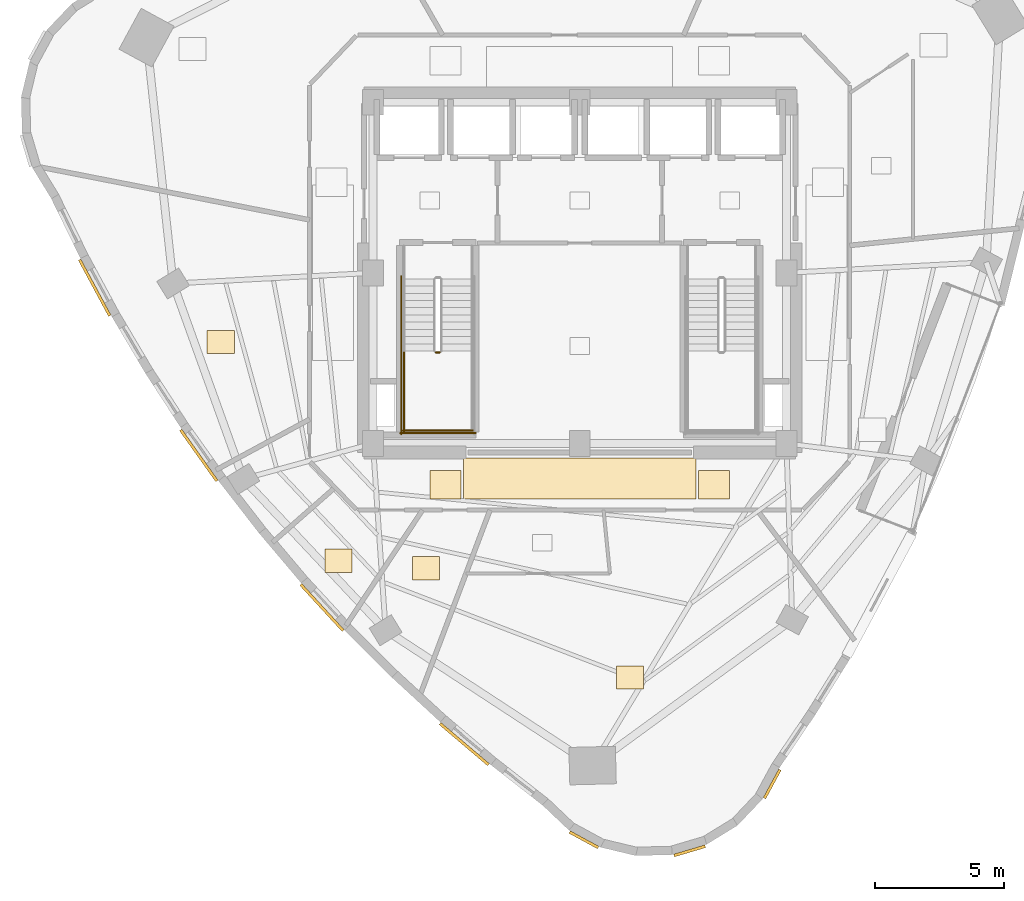
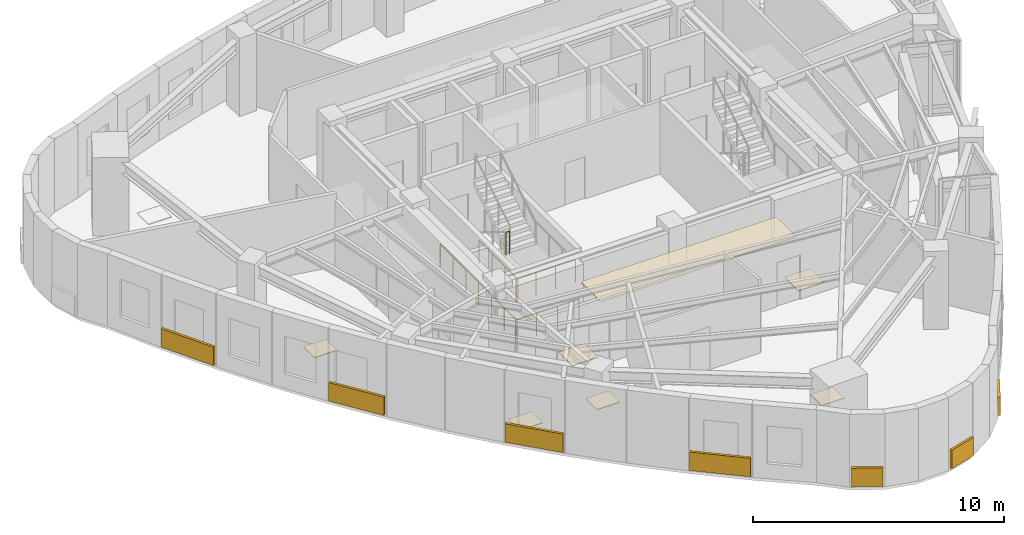
# One storey, part 8 of 10: 14 coverings, 5 railings.
"""IFC4 building model written with IfcOpenShell, lengths in metres."""

from ifc_helpers import new_model, si_unit, direction, frame, origin, origin_2d, place, context, subcontext, project, spatial, rectangle, circle, extrude, material, layer, layer_set, type_object, element, save


model = new_model("IFC4")

# Units and contexts
model_context = context("Model", 3, precision=1e-05, world=origin(), true_north=direction((0.0, 1.0)))
body_context = subcontext(model_context, "Body", "Model", "MODEL_VIEW")
ifc_project = project(units=[si_unit("LENGTHUNIT", "METRE"), si_unit("AREAUNIT", "SQUARE_METRE"), si_unit("VOLUMEUNIT", "CUBIC_METRE"), si_unit("PLANEANGLEUNIT", "RADIAN"), si_unit("MASSUNIT", "GRAM", prefix="KILO")], contexts=[model_context])

# Site, building, storey
site_placement = place(None, origin())
site = spatial("IfcSite", under=ifc_project, at=site_placement, CompositionType="ELEMENT")
building_placement = place(site_placement, origin())
building = spatial("IfcBuilding", under=site, at=building_placement, Name="Ndelora Gate Hotel", CompositionType="ELEMENT")
storey_placement = place(building_placement, frame((0.0, 0.0, 247.35009765625)))
storey = spatial("IfcBuildingStorey", under=building, at=storey_placement, Name="L62", CompositionType="ELEMENT", Elevation=247.35009765625)

# Coverings
ifc_material_1 = material(Name="Perforated Acoustic Gypsum Board", Category="gypsum")
ifc_layer_1 = layer(ifc_material_1, 0.054931640625)
ifc_layer_set_1 = layer_set([ifc_layer_1], Name="Perforated Acoustic Gypsum Board")
covering_type_1 = type_object("IfcCoveringType", Name="COV-CEIL-AC60", PredefinedType="CEILING", material=ifc_layer_set_1)
covering_1_placement = place(storey_placement, frame((0.0, -7.9599609375, 2.65234375), z_axis=(0.0, 0.0, 1.0), x_axis=(1.0, 0.0, 0.0)))
element("IfcCovering", 1, at=covering_1_placement, inside=storey, type_object=covering_type_1, Name="L62 Guest Corridor Acoustic Ceiling S", PredefinedType="CEILING", context=body_context, shape_type="SweptSolid", body=[
    extrude(rectangle(XDim=9.0, YDim=1.580078125, at=origin_2d()), origin(), (0.0, 0.0, 1.0), 0.054931640625),
])
ifc_material_2 = material(Name="Terracotta Fired Clay Brick Slip Cladding", Category="masonry")
ifc_layer_2 = layer(ifc_material_2, 0.110107421875)
ifc_layer_set_2 = layer_set([ifc_layer_2], Name="Terracotta Fired Clay Brick Slip Cladding")
covering_type_2 = type_object("IfcCoveringType", Name="COV-CLAD-BRK", PredefinedType="CLADDING", material=ifc_layer_set_2)
covering_2_placement = place(storey_placement, frame((-18.765380859375, -0.577392578125, 0.099853515625), z_axis=(0.0, 0.0, 1.0), x_axis=(-0.474241874114, 0.880394596097, 0.0)))
element("IfcCovering", 2, at=covering_2_placement, inside=storey, type_object=covering_type_2, Name="L62 Rounded-Corner Brick Cladding Band 10", PredefinedType="CLADDING", context=body_context, shape_type="SweptSolid", body=[
    extrude(rectangle(XDim=2.4599609375, YDim=0.110107421875, at=origin_2d()), origin(), (0.0, 0.0, 1.0), 0.89990234375),
])
covering_3_placement = place(storey_placement, frame((-14.739990234375, -7.063232421875, 0.099853515625), z_axis=(0.0, 0.0, 1.0), x_axis=(-0.579281172343, 0.815127795729, 0.0)))
element("IfcCovering", 3, at=covering_3_placement, inside=storey, type_object=covering_type_2, Name="L62 Rounded-Corner Brick Cladding Band 13", PredefinedType="CLADDING", context=body_context, shape_type="SweptSolid", body=[
    extrude(rectangle(XDim=2.4208984375, YDim=0.110107421875, at=origin_2d()), origin(), (0.0, 0.0, 1.0), 0.89990234375),
])
covering_4_placement = place(storey_placement, frame((-9.9736328125, -12.949462890625, 0.099853515625), z_axis=(0.0, 0.0, 1.0), x_axis=(-0.676875969683, 0.73609708712, 0.0)))
element("IfcCovering", 4, at=covering_4_placement, inside=storey, type_object=covering_type_2, Name="L62 Rounded-Corner Brick Cladding Band 16", PredefinedType="CLADDING", context=body_context, shape_type="SweptSolid", body=[
    extrude(rectangle(XDim=2.419921875, YDim=0.110107421875, at=origin_2d()), origin(), (0.0, 0.0, 1.0), 0.89990234375),
])
covering_5_placement = place(storey_placement, frame((-4.466552734375, -18.235107421875, 0.099853515625), z_axis=(0.0, 0.0, 1.0), x_axis=(-0.762555431968, 0.646922880393, 0.0)))
element("IfcCovering", 5, at=covering_5_placement, inside=storey, type_object=covering_type_2, Name="L62 Rounded-Corner Brick Cladding Band 19", PredefinedType="CLADDING", context=body_context, shape_type="SweptSolid", body=[
    extrude(rectangle(XDim=2.4599609375, YDim=0.110107421875, at=origin_2d()), origin(), (0.0, 0.0, 1.0), 0.89990234375),
])
covering_6_placement = place(storey_placement, frame((0.162109375, -21.9365234375, 0.099853515625), z_axis=(0.0, 0.0, 1.0), x_axis=(-0.878817112662, 0.47715876026, 0.0)))
element("IfcCovering", 6, at=covering_6_placement, inside=storey, type_object=covering_type_2, Name="L62 Rounded-Corner Brick Cladding Band 22", PredefinedType="CLADDING", context=body_context, shape_type="SweptSolid", body=[
    extrude(rectangle(XDim=1.257080078125, YDim=0.110107421875, at=origin_2d()), origin(), (0.0, 0.0, 1.0), 0.89990234375),
])
covering_7_placement = place(storey_placement, frame((4.252685546875, -22.366455078125, 0.099853515625), z_axis=(0.0, 0.0, 1.0), x_axis=(0.958819734868, 0.284015344704, 0.0)))
element("IfcCovering", 7, at=covering_7_placement, inside=storey, type_object=covering_type_2, Name="L62 Rounded-Corner Brick Cladding Band 25", PredefinedType="CLADDING", context=body_context, shape_type="SweptSolid", body=[
    extrude(rectangle(XDim=1.258056640625, YDim=0.110107421875, at=origin_2d()), origin(), (0.0, 0.0, 1.0), 0.89990234375),
])
covering_8_placement = place(storey_placement, frame((7.44921875, -19.778076171875, 0.099853515625), z_axis=(0.0, 0.0, 1.0), x_axis=(0.47715876026, 0.878817112662, 0.0)))
element("IfcCovering", 8, at=covering_8_placement, inside=storey, type_object=covering_type_2, Name="L62 Rounded-Corner Brick Cladding Band 28", PredefinedType="CLADDING", context=body_context, shape_type="SweptSolid", body=[
    extrude(rectangle(XDim=1.257080078125, YDim=0.110107421875, at=origin_2d()), origin(), (0.0, 0.0, 1.0), 0.89990234375),
])
ifc_material_3 = material(Name="Engineered Highland Oak Parquet", Category="wood")
ifc_layer_3 = layer(ifc_material_3, 0.030029296875)
ifc_layer_set_3 = layer_set([ifc_layer_3], Name="Engineered Highland Oak Parquet")
covering_type_3 = type_object("IfcCoveringType", Name="COV-FLR-PARQ", PredefinedType="FLOORING", material=ifc_layer_set_3)
for number, where, z_axis, x_axis, name in (
    (9, (1.947021484375, -15.656494140625, 0.0), (0.0, 0.0, 1.0), (1.0, 0.0, 0.0), "L62 Grand Highland Presidential Suite 6501 Oak Parquet Flooring"),
    (10, (-13.88671875, -2.67431640625, 0.0), (0.0, 0.0, 1.0), (1.0, 0.0, 0.0), "L62 Private Chef Service Kitchen Oak Parquet Flooring"),
    (11, (-9.330810546875, -11.140380859375, 0.0), (0.0, 0.0, 1.0), (1.0, 0.0, 0.0), "L62 Housekeeping and Linen Room Oak Parquet Flooring"),
    (12, (-5.94384765625, -11.4296875, 0.0), (0.0, 0.0, 1.0), (1.0, 0.0, 0.0), "L62 Accessible WC Oak Parquet Flooring"),
):
    element("IfcCovering", number, at=place(storey_placement, frame(where, z_axis=z_axis, x_axis=x_axis)), inside=storey, type_object=covering_type_3, Name=name, PredefinedType="FLOORING", context=body_context, shape_type="SweptSolid", body=[
        extrude(rectangle(XDim=1.050048828125, YDim=0.89990234375, at=origin_2d()), origin(), (0.0, 0.0, 1.0), 0.030029296875),
    ])
ifc_material_4 = material(Name="Polished Highland Stone Terrazzo", Category="masonry")
ifc_layer_4 = layer(ifc_material_4, 0.034912109375)
ifc_layer_set_4 = layer_set([ifc_layer_4], Name="Polished Highland Stone Terrazzo")
covering_type_4 = type_object("IfcCoveringType", Name="COV-FLR-TERZ", PredefinedType="FLOORING", material=ifc_layer_set_4)
for number, where, z_axis, x_axis, name in (
    (13, (-5.199951171875, -8.199951171875, 0.0), (0.0, 0.0, 1.0), (1.0, 0.0, 0.0), "L62 Corridor Threshold Terrazzo Inlay SW"),
    (14, (5.199951171875, -8.199951171875, 0.0), (0.0, 0.0, 1.0), (1.0, 0.0, 0.0), "L62 Corridor Threshold Terrazzo Inlay SE"),
):
    element("IfcCovering", number, at=place(storey_placement, frame(where, z_axis=z_axis, x_axis=x_axis)), inside=storey, type_object=covering_type_4, Name=name, PredefinedType="FLOORING", context=body_context, shape_type="SweptSolid", body=[
        extrude(rectangle(XDim=1.199951171875, YDim=1.10009765625, at=origin_2d()), origin(), (0.0, 0.0, 1.0), 0.034912109375),
    ])

# Railings
ifc_material_5 = material(Name="Painted Galvanized Steel Balustrade", Category="steel")
ifc_layer_5 = layer(ifc_material_5, 0.06005859375)
ifc_layer_set_5 = layer_set([ifc_layer_5], Name="Painted Galvanized Steel Balustrade")
railing_type = type_object("IfcRailingType", Name="RL-STAIR-GD", PredefinedType="GUARDRAIL", material=ifc_layer_set_5)
railing_1_placement = place(storey_placement, frame((-5.570068359375, -3.080078125, 1.89990234375)))
element("IfcRailing", 15, at=railing_1_placement, inside=storey, type_object=railing_type, Name="L62 ST4 stair guard 2", PredefinedType="GUARDRAIL", context=body_context, shape_type="SweptSolid", body=[
    extrude(circle(Radius=0.02392578125, at=origin_2d()), frame((0.0, 0.0, 1.10595703125), z_axis=(1.0, 0.0, 0.0), x_axis=(0.0, 1.0, 0.0)), (0.0, 0.0, 1.0), 0.16015625),
    extrude(circle(Radius=0.02099609375, at=origin_2d()), origin(), (0.0, 0.0, 1.0), 1.081787109375),
    extrude(circle(Radius=0.02099609375, at=origin_2d()), frame((0.16015625, 0.0, 0.0)), (0.0, 0.0, 1.0), 1.081787109375),
])
railing_2_placement = place(storey_placement, frame((-6.800048828125, -3.030029296875, 1.89990234375)))
element("IfcRailing", 16, at=railing_2_placement, inside=storey, type_object=railing_type, Name="L62 ST4 stair guard 3", PredefinedType="GUARDRAIL", context=body_context, shape_type="SweptSolid", body=[
    extrude(circle(Radius=0.02392578125, at=origin_2d()), frame((0.0, 0.0, 1.10595703125), z_axis=(0.0, -1.0, 0.0), x_axis=(1.0, 0.0, 0.0)), (0.0, 0.0, 1.0), 3.119873046875),
    extrude(circle(Radius=0.02099609375, at=origin_2d()), origin(), (0.0, 0.0, 1.0), 1.081787109375),
    extrude(circle(Radius=0.02099609375, at=origin_2d()), frame((0.0, -1.0400390625, 0.0)), (0.0, 0.0, 1.0), 1.081787109375),
    extrude(circle(Radius=0.02099609375, at=origin_2d()), frame((0.0, -2.079833984375, 0.0)), (0.0, 0.0, 1.0), 1.081787109375),
    extrude(circle(Radius=0.02099609375, at=origin_2d()), frame((0.0, -3.119873046875, 0.0)), (0.0, 0.0, 1.0), 1.081787109375),
])
railing_3_placement = place(storey_placement, frame((-6.85009765625, -6.10009765625, 1.89990234375)))
element("IfcRailing", 17, at=railing_3_placement, inside=storey, type_object=railing_type, Name="L62 ST4 stair guard 5", PredefinedType="GUARDRAIL", context=body_context, shape_type="SweptSolid", body=[
    extrude(circle(Radius=0.02392578125, at=origin_2d()), frame((0.0, 0.0, 1.10595703125), z_axis=(1.0, 0.0, 0.0), x_axis=(0.0, 1.0, 0.0)), (0.0, 0.0, 1.0), 2.72021484375),
    extrude(circle(Radius=0.02099609375, at=origin_2d()), origin(), (0.0, 0.0, 1.0), 1.081787109375),
    extrude(circle(Radius=0.02099609375, at=origin_2d()), frame((0.90673828125, 0.0, 0.0)), (0.0, 0.0, 1.0), 1.081787109375),
    extrude(circle(Radius=0.02099609375, at=origin_2d()), frame((1.8134765625, 0.0, 0.0)), (0.0, 0.0, 1.0), 1.081787109375),
    extrude(circle(Radius=0.02099609375, at=origin_2d()), frame((2.72021484375, 0.0, 0.0)), (0.0, 0.0, 1.0), 1.081787109375),
])
railing_4_placement = place(storey_placement, frame((-6.89990234375, -0.1298828125, 0.0)))
element("IfcRailing", 18, at=railing_4_placement, inside=storey, type_object=railing_type, Name="L62 ST4 stair guard 10", PredefinedType="GUARDRAIL", context=body_context, shape_type="SweptSolid", body=[
    extrude(circle(Radius=0.02392578125, at=origin_2d()), frame((0.0, 0.0, 1.10595703125), z_axis=(0.0, -1.0, 0.0), x_axis=(1.0, 0.0, 0.0)), (0.0, 0.0, 1.0), 6.1201171875),
    extrude(circle(Radius=0.02099609375, at=origin_2d()), origin(), (0.0, 0.0, 1.0), 1.081787109375),
    extrude(circle(Radius=0.02099609375, at=origin_2d()), frame((0.0, -1.02001953125, 0.0)), (0.0, 0.0, 1.0), 1.081787109375),
    extrude(circle(Radius=0.02099609375, at=origin_2d()), frame((0.0, -2.0400390625, 0.0)), (0.0, 0.0, 1.0), 1.081787109375),
    extrude(circle(Radius=0.02099609375, at=origin_2d()), frame((0.0, -3.06005859375, 0.0)), (0.0, 0.0, 1.0), 1.081787109375),
    extrude(circle(Radius=0.02099609375, at=origin_2d()), frame((0.0, -4.080078125, 0.0)), (0.0, 0.0, 1.0), 1.081787109375),
    extrude(circle(Radius=0.02099609375, at=origin_2d()), frame((0.0, -5.10009765625, 0.0)), (0.0, 0.0, 1.0), 1.081787109375),
    extrude(circle(Radius=0.02099609375, at=origin_2d()), frame((0.0, -6.1201171875, 0.0)), (0.0, 0.0, 1.0), 1.081787109375),
])
railing_5_placement = place(storey_placement, frame((-6.949951171875, -6.199951171875, 0.0)))
element("IfcRailing", 19, at=railing_5_placement, inside=storey, type_object=railing_type, Name="L62 ST4 stair guard 12", PredefinedType="GUARDRAIL", context=body_context, shape_type="SweptSolid", body=[
    extrude(circle(Radius=0.02392578125, at=origin_2d()), frame((0.0, 0.0, 1.10595703125), z_axis=(1.0, 0.0, 0.0), x_axis=(0.0, 1.0, 0.0)), (0.0, 0.0, 1.0), 2.919921875),
    extrude(circle(Radius=0.02099609375, at=origin_2d()), origin(), (0.0, 0.0, 1.0), 1.081787109375),
    extrude(circle(Radius=0.02099609375, at=origin_2d()), frame((0.973388671875, 0.0, 0.0)), (0.0, 0.0, 1.0), 1.081787109375),
    extrude(circle(Radius=0.02099609375, at=origin_2d()), frame((1.946533203125, 0.0, 0.0)), (0.0, 0.0, 1.0), 1.081787109375),
    extrude(circle(Radius=0.02099609375, at=origin_2d()), frame((2.919921875, 0.0, 0.0)), (0.0, 0.0, 1.0), 1.081787109375),
])

save(model, "model.ifc")
